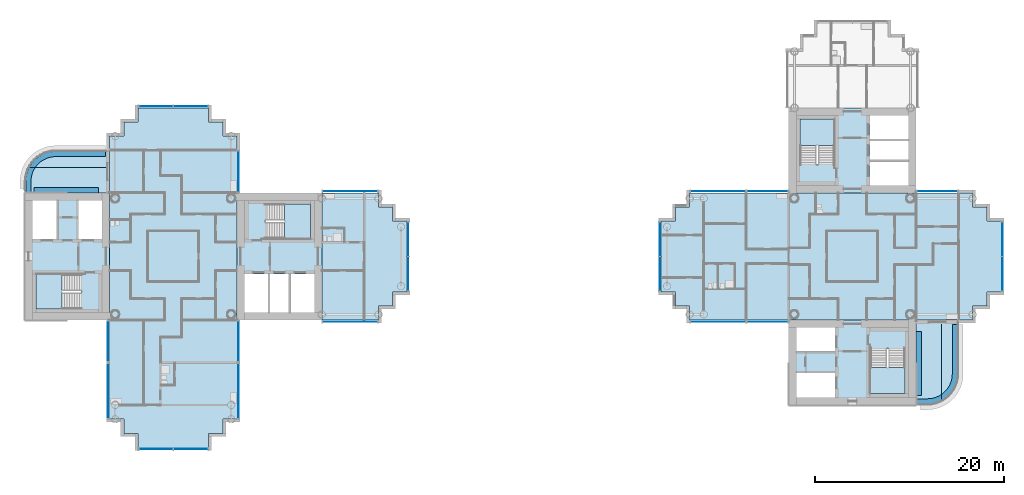
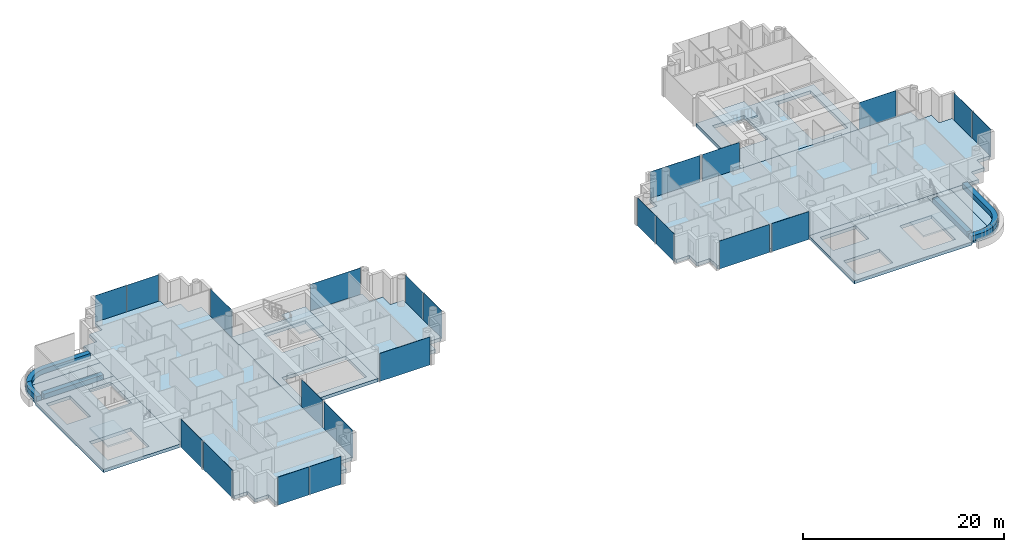
# One storey, part 5 of 20: 22 plates, 21 slabs, 21 elements without a shape of their own.
"""IFC4 building model written with IfcOpenShell, lengths in metres."""

from ifc_helpers import new_model, si_unit, direction, frame, origin, origin_2d, place, context, subcontext, project, spatial, polyline, rectangle, outline, extrude, material, layer, layer_set, type_object, element, aggregate, save


model = new_model("IFC4")

# Units and contexts
model_context = context("Model", 3, precision=1e-05, world=origin(), true_north=direction((0.0, 1.0)))
body_context = subcontext(model_context, "Body", "Model", "MODEL_VIEW")
ifc_project = project(units=[si_unit("LENGTHUNIT", "METRE"), si_unit("AREAUNIT", "SQUARE_METRE"), si_unit("VOLUMEUNIT", "CUBIC_METRE"), si_unit("PLANEANGLEUNIT", "RADIAN"), si_unit("MASSUNIT", "GRAM", prefix="KILO")], contexts=[model_context])

# Site, building, storey
site_placement = place(None, origin())
site = spatial("IfcSite", under=ifc_project, at=site_placement, CompositionType="ELEMENT")
building_placement = place(site_placement, origin())
building = spatial("IfcBuilding", under=site, at=building_placement, Name="Ipe Terrace Towers", CompositionType="ELEMENT")
storey_placement = place(building_placement, frame((0.0, 0.0, 154.10009765625)))
storey = spatial("IfcBuildingStorey", under=building, at=storey_placement, Name="L42", CompositionType="ELEMENT", Elevation=154.10009765625)

# Slabs
ifc_material_1 = material(Name="Concrete C30/37", Category="concrete")
ifc_layer_1 = layer(ifc_material_1, 0.199951171875)
ifc_layer_set_1 = layer_set([ifc_layer_1], Name="BALCONY SLAB 200")
slab_type_1 = type_object("IfcSlabType", Name="BALCONY SLAB 200", PredefinedType="FLOOR", material=ifc_layer_set_1)
slab_1_placement = place(storey_placement, frame((0.0, 0.0, -0.22021484375)))
element("IfcSlab", 1, at=slab_1_placement, inside=storey, type_object=slab_type_1, Name="balcony slab", PredefinedType="FLOOR", context=body_context, shape_type="SweptSolid", body=[
    extrude(outline(polyline([(-51.4990234375, 9.212890625), (-51.637939453125, 8.803955078125), (-51.721923828125, 8.381103515625), (-51.75, 7.949951171875), (-51.75, 6.75), (-42.75, 6.75), (-42.75, 9.449951171875), (-51.382080078125, 9.449951171875), (-51.4990234375, 9.212890625)])), origin(), (0.0, 0.0, 1.0), 0.2001953125),
])
slab_2_placement = place(storey_placement, frame((0.0, 0.0, -0.22021484375)))
element("IfcSlab", 2, at=slab_2_placement, inside=storey, type_object=slab_type_1, Name="balcony slab", PredefinedType="FLOOR", context=body_context, shape_type="SweptSolid", body=[
    extrude(outline(polyline([(-42.75, 11.25), (-48.449951171875, 11.25), (-48.881103515625, 11.221923828125), (-49.303955078125, 11.137939453125), (-49.712890625, 10.9990234375), (-50.10009765625, 10.80810546875), (-50.458984375, 10.568115234375), (-50.782958984375, 10.282958984375), (-51.068115234375, 9.958984375), (-51.30810546875, 9.60009765625), (-51.382080078125, 9.449951171875), (-42.75, 9.449951171875), (-42.75, 11.25)])), origin(), (0.0, 0.0, 1.0), 0.2001953125),
])
slab_3_placement = place(storey_placement, frame((0.0, 0.0, -0.22021484375)))
element("IfcSlab", 3, at=slab_3_placement, inside=storey, type_object=slab_type_1, Name="balcony slab", PredefinedType="FLOOR", context=body_context, shape_type="SweptSolid", body=[
    extrude(outline(polyline([(45.212890625, -15.4990234375), (45.449951171875, -15.382080078125), (45.449951171875, -6.75), (42.75, -6.75), (42.75, -15.75), (43.949951171875, -15.75), (44.381103515625, -15.721923828125), (44.803955078125, -15.637939453125), (45.212890625, -15.4990234375)])), origin(), (0.0, 0.0, 1.0), 0.2001953125),
])
slab_4_placement = place(storey_placement, frame((0.0, 0.0, -0.22021484375)))
element("IfcSlab", 4, at=slab_4_placement, inside=storey, type_object=slab_type_1, Name="balcony slab", PredefinedType="FLOOR", context=body_context, shape_type="SweptSolid", body=[
    extrude(outline(polyline([(47.25, -6.75), (45.449951171875, -6.75), (45.449951171875, -15.382080078125), (45.60009765625, -15.30810546875), (45.958984375, -15.068115234375), (46.282958984375, -14.782958984375), (46.568115234375, -14.458984375), (46.80810546875, -14.10009765625), (46.9990234375, -13.712890625), (47.137939453125, -13.303955078125), (47.221923828125, -12.881103515625), (47.25, -12.449951171875), (47.25, -6.75)])), origin(), (0.0, 0.0, 1.0), 0.2001953125),
])
ifc_material_2 = material(Name="Concrete C30/37", Category="concrete")
ifc_layer_2 = layer(ifc_material_2, 0.39990234375)
ifc_layer_set_2 = layer_set([ifc_layer_2], Name="CORE FLOOR SLAB 400 C30-37")
slab_type_2 = type_object("IfcSlabType", Name="CORE FLOOR SLAB 400 C30-37", PredefinedType="FLOOR", material=ifc_layer_set_2)
slab_5_placement = place(storey_placement, frame((0.0, 0.0, -0.400146484375)))
element("IfcSlab", 5, at=slab_5_placement, inside=storey, type_object=slab_type_2, Name="Core floor T1-C1", PredefinedType="FLOOR", context=body_context, shape_type="SweptSolid", body=[
    extrude(outline(polyline([(-29.25, -6.75), (-29.25, 6.75), (-20.25, 6.75), (-20.25, -6.75), (-29.25, -6.75)]), holes=[polyline([(-28.449951171875, -5.949951171875), (-21.050048828125, -5.949951171875), (-21.050048828125, -1.85009765625), (-28.449951171875, -1.85009765625), (-28.449951171875, -5.949951171875)]), polyline([(-26.199951171875, 5.550048828125), (-26.199951171875, 1.89990234375), (-21.449951171875, 1.89990234375), (-21.449951171875, 5.550048828125), (-26.199951171875, 5.550048828125)])]), origin(), (0.0, 0.0, 1.0), 0.400146484375),
])
slab_6_placement = place(storey_placement, frame((0.0, 0.0, -0.400146484375)))
element("IfcSlab", 6, at=slab_6_placement, inside=storey, type_object=slab_type_2, Name="Core floor T1-C2", PredefinedType="FLOOR", context=body_context, shape_type="SweptSolid", body=[
    extrude(outline(polyline([(-51.75, -6.75), (-51.75, 6.75), (-42.75, 6.75), (-42.75, -6.75), (-51.75, -6.75)]), holes=[polyline([(-45.800048828125, -1.89990234375), (-50.550048828125, -1.89990234375), (-50.550048828125, -5.550048828125), (-45.800048828125, -5.550048828125), (-45.800048828125, -1.89990234375)]), polyline([(-48.25, 1.85009765625), (-48.25, 5.949951171875), (-50.949951171875, 5.949951171875), (-50.949951171875, 1.85009765625), (-48.25, 1.85009765625)]), polyline([(-43.550048828125, 1.85009765625), (-43.550048828125, 5.949951171875), (-46.14990234375, 5.949951171875), (-46.14990234375, 1.85009765625), (-43.550048828125, 1.85009765625)])]), origin(), (0.0, 0.0, 1.0), 0.400146484375),
])
slab_7_placement = place(storey_placement, frame((0.0, 0.0, -0.400146484375)))
element("IfcSlab", 7, at=slab_7_placement, inside=storey, type_object=slab_type_2, Name="Core floor T2-C1", PredefinedType="FLOOR", context=body_context, shape_type="SweptSolid", body=[
    extrude(outline(polyline([(29.25, 6.75), (29.25, 15.75), (42.75, 15.75), (42.75, 6.75), (29.25, 6.75)]), holes=[polyline([(41.949951171875, 7.550048828125), (41.949951171875, 14.949951171875), (37.85009765625, 14.949951171875), (37.85009765625, 7.550048828125), (41.949951171875, 7.550048828125)]), polyline([(30.449951171875, 9.800048828125), (34.10009765625, 9.800048828125), (34.10009765625, 14.550048828125), (30.449951171875, 14.550048828125), (30.449951171875, 9.800048828125)])]), origin(), (0.0, 0.0, 1.0), 0.400146484375),
])
slab_8_placement = place(storey_placement, frame((0.0, 0.0, -0.400146484375)))
element("IfcSlab", 8, at=slab_8_placement, inside=storey, type_object=slab_type_2, Name="Core floor T2-C2", PredefinedType="FLOOR", context=body_context, shape_type="SweptSolid", body=[
    extrude(outline(polyline([(29.25, -15.75), (29.25, -6.75), (42.75, -6.75), (42.75, -15.75), (29.25, -15.75)]), holes=[polyline([(30.050048828125, -12.25), (30.050048828125, -14.949951171875), (34.14990234375, -14.949951171875), (34.14990234375, -12.25), (30.050048828125, -12.25)]), polyline([(41.550048828125, -9.800048828125), (37.89990234375, -9.800048828125), (37.89990234375, -14.550048828125), (41.550048828125, -14.550048828125), (41.550048828125, -9.800048828125)]), polyline([(34.14990234375, -7.550048828125), (30.050048828125, -7.550048828125), (30.050048828125, -10.14990234375), (34.14990234375, -10.14990234375), (34.14990234375, -7.550048828125)])]), origin(), (0.0, 0.0, 1.0), 0.400146484375),
])

# Stair, slab
ifc_material_3 = material(Name="Concrete C30/37", Category="concrete")
stair_type = type_object("IfcStairType", Name="Protected exit stair", PredefinedType="HALF_TURN_STAIR", material=ifc_material_3)
stair_1_placement = place(storey_placement, origin())
stair_1 = element("IfcStair", 9, at=stair_1_placement, inside=storey, type_object=stair_type, Name="L42 Exit stair T1-C1", PredefinedType="HALF_TURN_STAIR")
ifc_material_4 = material(Name="Concrete C30/37", Category="concrete")
ifc_layer_3 = layer(ifc_material_4, 0.199951171875)
ifc_layer_set_3 = layer_set([ifc_layer_3], Name="Exit stair landing 200")
slab_type_3 = type_object("IfcSlabType", Name="Exit stair landing 200", PredefinedType="LANDING", material=ifc_layer_set_3)
slab_9_placement = place(storey_placement, frame((0.0, 0.0, 1.5)))
slab_9 = element("IfcSlab", 10, at=slab_9_placement, type_object=slab_type_3, Name="T1-ST1 landing 1", PredefinedType="LANDING", context=body_context, shape_type="SweptSolid", body=[
    extrude(outline(polyline([(-24.219970703125, 1.89990234375), (-21.449951171875, 1.89990234375), (-21.449951171875, 5.550048828125), (-24.219970703125, 5.550048828125), (-24.219970703125, 1.89990234375)])), origin(), (0.0, 0.0, 1.0), 0.199951171875),
])
aggregate(stair_1, [slab_9])

stair_2_placement = place(storey_placement, origin())
stair_2 = element("IfcStair", 11, at=stair_2_placement, inside=storey, type_object=stair_type, Name="L42 Exit stair T1-C2", PredefinedType="HALF_TURN_STAIR")
slab_10_placement = place(storey_placement, frame((0.0, 0.0, 1.5)))
slab_10 = element("IfcSlab", 12, at=slab_10_placement, type_object=slab_type_3, Name="T1-ST2 landing 1", PredefinedType="LANDING", context=body_context, shape_type="SweptSolid", body=[
    extrude(outline(polyline([(-47.780029296875, -1.89990234375), (-50.550048828125, -1.89990234375), (-50.550048828125, -5.550048828125), (-47.780029296875, -5.550048828125), (-47.780029296875, -1.89990234375)])), origin(), (0.0, 0.0, 1.0), 0.199951171875),
])
aggregate(stair_2, [slab_10])

stair_3_placement = place(storey_placement, origin())
stair_3 = element("IfcStair", 13, at=stair_3_placement, inside=storey, type_object=stair_type, Name="L42 Exit stair T2-C1", PredefinedType="HALF_TURN_STAIR")
slab_11_placement = place(storey_placement, frame((0.0, 0.0, 1.5)))
slab_11 = element("IfcSlab", 14, at=slab_11_placement, type_object=slab_type_3, Name="T2-ST1 landing 1", PredefinedType="LANDING", context=body_context, shape_type="SweptSolid", body=[
    extrude(outline(polyline([(34.10009765625, 11.780029296875), (34.10009765625, 14.550048828125), (30.449951171875, 14.550048828125), (30.449951171875, 11.780029296875), (34.10009765625, 11.780029296875)])), origin(), (0.0, 0.0, 1.0), 0.199951171875),
])
aggregate(stair_3, [slab_11])

stair_4_placement = place(storey_placement, origin())
stair_4 = element("IfcStair", 15, at=stair_4_placement, inside=storey, type_object=stair_type, Name="L42 Exit stair T2-C2", PredefinedType="HALF_TURN_STAIR")
slab_12_placement = place(storey_placement, frame((0.0, 0.0, 1.5)))
slab_12 = element("IfcSlab", 16, at=slab_12_placement, type_object=slab_type_3, Name="T2-ST2 landing 1", PredefinedType="LANDING", context=body_context, shape_type="SweptSolid", body=[
    extrude(outline(polyline([(37.89990234375, -11.780029296875), (37.89990234375, -14.550048828125), (41.550048828125, -14.550048828125), (41.550048828125, -11.780029296875), (37.89990234375, -11.780029296875)])), origin(), (0.0, 0.0, 1.0), 0.199951171875),
])
aggregate(stair_4, [slab_12])

# Slabs
ifc_material_5 = material(Name="Concrete C40/50", Category="concrete")
ifc_layer_4 = layer(ifc_material_5, 0.39990234375)
ifc_layer_set_4 = layer_set([ifc_layer_4], Name="FLAT PLATE SLAB 400 C40-50")
slab_type_4 = type_object("IfcSlabType", Name="FLAT PLATE SLAB 400 C40-50", PredefinedType="FLOOR", material=ifc_layer_set_4)
slab_13_placement = place(storey_placement, frame((0.0, 0.0, -0.400146484375)))
element("IfcSlab", 17, at=slab_13_placement, inside=storey, type_object=slab_type_4, Name="Slab T1-FS-Z31", PredefinedType="FLOOR", context=body_context, shape_type="SweptSolid", body=[
    extrude(outline(polyline([(-30.75, -17.25), (-30.75, -18.75), (-32.25, -18.75), (-32.25, -20.25), (-39.75, -20.25), (-39.75, -18.75), (-41.25, -18.75), (-41.25, -17.25), (-42.75, -17.25), (-42.75, -6.75), (-42.75, 6.75), (-42.75, 12.75), (-41.25, 12.75), (-41.25, 14.25), (-39.75, 14.25), (-39.75, 15.75), (-32.25, 15.75), (-32.25, 14.25), (-30.75, 14.25), (-30.75, 12.75), (-29.25, 12.75), (-29.25, 6.75), (-29.25, -6.75), (-29.25, -17.25), (-30.75, -17.25)])), origin(), (0.0, 0.0, 1.0), 0.400146484375),
])
slab_14_placement = place(storey_placement, frame((0.0, 0.0, -0.400146484375)))
element("IfcSlab", 18, at=slab_14_placement, inside=storey, type_object=slab_type_4, Name="Slab T1-FS-Z32", PredefinedType="FLOOR", context=body_context, shape_type="SweptSolid", body=[
    extrude(outline(polyline([(-14.25, 5.25), (-12.75, 5.25), (-12.75, 3.75), (-11.25, 3.75), (-11.25, -3.75), (-12.75, -3.75), (-12.75, -5.25), (-14.25, -5.25), (-14.25, -6.75), (-20.25, -6.75), (-20.25, 6.75), (-14.25, 6.75), (-14.25, 5.25)])), origin(), (0.0, 0.0, 1.0), 0.400146484375),
])
slab_15_placement = place(storey_placement, frame((0.0, 0.0, -0.400146484375)))
element("IfcSlab", 19, at=slab_15_placement, inside=storey, type_object=slab_type_4, Name="Slab T2-FS-Z31", PredefinedType="FLOOR", context=body_context, shape_type="SweptSolid", body=[
    extrude(outline(polyline([(48.75, 5.25), (50.25, 5.25), (50.25, 3.75), (51.75, 3.75), (51.75, -3.75), (50.25, -3.75), (50.25, -5.25), (48.75, -5.25), (48.75, -6.75), (42.75, -6.75), (29.25, -6.75), (18.75, -6.75), (18.75, -5.25), (17.25, -5.25), (17.25, -3.75), (15.75, -3.75), (15.75, 3.75), (17.25, 3.75), (17.25, 5.25), (18.75, 5.25), (18.75, 6.75), (29.25, 6.75), (42.75, 6.75), (48.75, 6.75), (48.75, 5.25)])), origin(), (0.0, 0.0, 1.0), 0.400146484375),
])
ifc_material_6 = material(Name="Concrete C30/37", Category="concrete")
ifc_layer_5 = layer(ifc_material_6, 0.60009765625)
ifc_layer_set_5 = layer_set([ifc_layer_5], Name="PLANTER TROUGH 550 x 600")
slab_type_5 = type_object("IfcSlabType", Name="PLANTER TROUGH 550 x 600", PredefinedType="USERDEFINED", material=ifc_layer_set_5)
slab_16_placement = place(storey_placement, frame((0.0, 0.0, -0.02001953125)))
element("IfcSlab", 20, at=slab_16_placement, inside=storey, type_object=slab_type_5, Name="planter", ObjectType="PLANTER", PredefinedType="USERDEFINED", context=body_context, shape_type="SweptSolid", body=[
    extrude(outline(polyline([(-50.9990234375, 8.633056640625), (-50.887939453125, 8.9599609375), (-50.735107421875, 9.26904296875), (-50.614013671875, 9.449951171875), (-51.259033203125, 9.449951171875), (-51.388916015625, 9.18701171875), (-51.403076171875, 9.154052734375), (-51.52490234375, 8.79296875), (-51.534912109375, 8.758056640625), (-51.60888671875, 8.384033203125), (-51.614013671875, 8.347900390625), (-51.638916015625, 7.955078125), (-51.639892578125, 7.93701171875), (-51.639892578125, 6.75), (-51.090087890625, 6.75), (-51.090087890625, 7.927978515625), (-51.06591796875, 8.2939453125), (-50.9990234375, 8.633056640625)])), origin(), (0.0, 0.0, 1.0), 0.599853515625),
])
slab_17_placement = place(storey_placement, frame((0.0, 0.0, -0.02001953125)))
element("IfcSlab", 21, at=slab_17_placement, inside=storey, type_object=slab_type_5, Name="planter", ObjectType="PLANTER", PredefinedType="USERDEFINED", context=body_context, shape_type="SweptSolid", body=[
    extrude(outline(polyline([(-50.54296875, 9.555908203125), (-50.31591796875, 9.81591796875), (-50.055908203125, 10.04296875), (-49.76904296875, 10.235107421875), (-49.4599609375, 10.387939453125), (-49.133056640625, 10.4990234375), (-48.7939453125, 10.56591796875), (-48.427978515625, 10.590087890625), (-43.199951171875, 10.590087890625), (-43.199951171875, 11.139892578125), (-48.43701171875, 11.139892578125), (-48.455078125, 11.138916015625), (-48.847900390625, 11.114013671875), (-48.884033203125, 11.10888671875), (-49.258056640625, 11.034912109375), (-49.29296875, 11.02490234375), (-49.654052734375, 10.903076171875), (-49.68701171875, 10.888916015625), (-50.029052734375, 10.719970703125), (-50.06005859375, 10.701904296875), (-50.376953125, 10.490966796875), (-50.405029296875, 10.468994140625), (-50.69189453125, 10.217041015625), (-50.717041015625, 10.19189453125), (-50.968994140625, 9.905029296875), (-50.990966796875, 9.876953125), (-51.201904296875, 9.56005859375), (-51.219970703125, 9.529052734375), (-51.259033203125, 9.449951171875), (-50.614013671875, 9.449951171875), (-50.54296875, 9.555908203125)])), origin(), (0.0, 0.0, 1.0), 0.599853515625),
])
slab_18_placement = place(storey_placement, frame((0.0, 0.0, -0.02001953125)))
element("IfcSlab", 22, at=slab_18_placement, inside=storey, type_object=slab_type_5, Name="planter", ObjectType="PLANTER", PredefinedType="USERDEFINED", context=body_context, shape_type="SweptSolid", body=[
    extrude(outline(polyline([(-43.949951171875, 6.75), (-43.949951171875, 7.300048828125), (-50.75, 7.300048828125), (-50.75, 6.75), (-43.949951171875, 6.75)])), origin(), (0.0, 0.0, 1.0), 0.599853515625),
])
slab_19_placement = place(storey_placement, frame((0.0, 0.0, -0.02001953125)))
element("IfcSlab", 23, at=slab_19_placement, inside=storey, type_object=slab_type_5, Name="planter", ObjectType="PLANTER", PredefinedType="USERDEFINED", context=body_context, shape_type="SweptSolid", body=[
    extrude(outline(polyline([(44.633056640625, -14.9990234375), (44.2939453125, -15.06591796875), (43.927978515625, -15.090087890625), (42.75, -15.090087890625), (42.75, -15.639892578125), (43.93701171875, -15.639892578125), (43.955078125, -15.638916015625), (44.347900390625, -15.614013671875), (44.384033203125, -15.60888671875), (44.758056640625, -15.534912109375), (44.79296875, -15.52490234375), (45.154052734375, -15.403076171875), (45.18701171875, -15.388916015625), (45.449951171875, -15.259033203125), (45.449951171875, -14.614013671875), (45.26904296875, -14.735107421875), (44.9599609375, -14.887939453125), (44.633056640625, -14.9990234375)])), origin(), (0.0, 0.0, 1.0), 0.599853515625),
])
slab_20_placement = place(storey_placement, frame((0.0, 0.0, -0.02001953125)))
element("IfcSlab", 24, at=slab_20_placement, inside=storey, type_object=slab_type_5, Name="planter", ObjectType="PLANTER", PredefinedType="USERDEFINED", context=body_context, shape_type="SweptSolid", body=[
    extrude(outline(polyline([(45.555908203125, -14.54296875), (45.449951171875, -14.614013671875), (45.449951171875, -15.259033203125), (45.529052734375, -15.219970703125), (45.56005859375, -15.201904296875), (45.876953125, -14.990966796875), (45.905029296875, -14.968994140625), (46.19189453125, -14.717041015625), (46.217041015625, -14.69189453125), (46.468994140625, -14.405029296875), (46.490966796875, -14.376953125), (46.701904296875, -14.06005859375), (46.719970703125, -14.029052734375), (46.888916015625, -13.68701171875), (46.903076171875, -13.654052734375), (47.02490234375, -13.29296875), (47.034912109375, -13.258056640625), (47.10888671875, -12.884033203125), (47.114013671875, -12.847900390625), (47.138916015625, -12.455078125), (47.139892578125, -12.43701171875), (47.139892578125, -7.199951171875), (46.590087890625, -7.199951171875), (46.590087890625, -12.427978515625), (46.56591796875, -12.7939453125), (46.4990234375, -13.133056640625), (46.387939453125, -13.4599609375), (46.235107421875, -13.76904296875), (46.04296875, -14.055908203125), (45.81591796875, -14.31591796875), (45.555908203125, -14.54296875)])), origin(), (0.0, 0.0, 1.0), 0.599853515625),
])
slab_21_placement = place(storey_placement, frame((0.0, 0.0, -0.02001953125)))
element("IfcSlab", 25, at=slab_21_placement, inside=storey, type_object=slab_type_5, Name="planter", ObjectType="PLANTER", PredefinedType="USERDEFINED", context=body_context, shape_type="SweptSolid", body=[
    extrude(outline(polyline([(42.75, -7.949951171875), (42.75, -14.75), (43.300048828125, -14.75), (43.300048828125, -7.949951171875), (42.75, -7.949951171875)])), origin(), (0.0, 0.0, 1.0), 0.599853515625),
])

# Curtain wall, plate
ifc_material_7 = material(Name="Aluminium alloy 6063-T6", Category="aluminium")
ifc_layer_6 = layer(ifc_material_7, 0.320068359375)
ifc_layer_set_6 = layer_set([ifc_layer_6], Name="TOWER UNITISED CURTAIN WALL")
curtain_wall_type = type_object("IfcCurtainWallType", Name="TOWER UNITISED CURTAIN WALL", PredefinedType="NOTDEFINED", material=ifc_layer_set_6)
curtain_wall_1_placement = place(storey_placement, origin())
curtain_wall_1 = element("IfcCurtainWall", 26, at=curtain_wall_1_placement, inside=storey, type_object=curtain_wall_type, Name="T1-CW-L42-02a curtain wall", PredefinedType="NOTDEFINED")
ifc_material_8 = material(Name="Glass, clear laminated", Category="glass")
ifc_layer_7 = layer(ifc_material_8, 0.031982421875)
ifc_layer_set_7 = layer_set([ifc_layer_7], Name="TOWER UNITISED GLASS PANEL 32")
plate_type = type_object("IfcPlateType", Name="TOWER UNITISED GLASS PANEL 32", PredefinedType="CURTAIN_PANEL", material=ifc_layer_set_7)
plate_1_placement = place(storey_placement, frame((-42.909912109375, -9.0, -0.300048828125), z_axis=(0.0, 0.0, 1.0), x_axis=(0.0, -1.0, 0.0)))
plate_1 = element("IfcPlate", 27, at=plate_1_placement, type_object=plate_type, Name="T1-CW-L42-02a panel 1", PredefinedType="CURTAIN_PANEL", context=body_context, shape_type="SweptSolid", body=[
    extrude(rectangle(XDim=4.260009765625, YDim=0.031982421875, at=origin_2d()), origin(), (0.0, 0.0, 1.0), 3.39990234375),
])
aggregate(curtain_wall_1, [plate_1])

curtain_wall_2_placement = place(storey_placement, origin())
curtain_wall_2 = element("IfcCurtainWall", 28, at=curtain_wall_2_placement, inside=storey, type_object=curtain_wall_type, Name="T1-CW-L42-03a curtain wall", PredefinedType="NOTDEFINED")
plate_2_placement = place(storey_placement, frame((-42.909912109375, -14.25, -0.300048828125), z_axis=(0.0, 0.0, 1.0), x_axis=(0.0, -1.0, 0.0)))
plate_2 = element("IfcPlate", 29, at=plate_2_placement, type_object=plate_type, Name="T1-CW-L42-03a panel 1", PredefinedType="CURTAIN_PANEL", context=body_context, shape_type="SweptSolid", body=[
    extrude(rectangle(XDim=5.760009765625, YDim=0.031982421875, at=origin_2d()), origin(), (0.0, 0.0, 1.0), 3.39990234375),
])
aggregate(curtain_wall_2, [plate_2])

# Curtain wall, plates
curtain_wall_3_placement = place(storey_placement, origin())
curtain_wall_3 = element("IfcCurtainWall", 30, at=curtain_wall_3_placement, inside=storey, type_object=curtain_wall_type, Name="T1-CW-L42-08a curtain wall", PredefinedType="NOTDEFINED")
plate_3_placement = place(storey_placement, frame((-37.831298828125, -20.409912109375, -0.300048828125), z_axis=(0.0, 0.0, 1.0), x_axis=(1.0, 0.0, 0.0)))
plate_3 = element("IfcPlate", 31, at=plate_3_placement, type_object=plate_type, Name="T1-CW-L42-08a panel 1", PredefinedType="CURTAIN_PANEL", context=body_context, shape_type="SweptSolid", body=[
    extrude(rectangle(XDim=3.597412109375, YDim=0.031982421875, at=origin_2d()), origin(), (0.0, 0.0, 1.0), 3.39990234375),
])
plate_4_placement = place(storey_placement, frame((-34.168701171875, -20.409912109375, -0.300048828125), z_axis=(0.0, 0.0, 1.0), x_axis=(1.0, 0.0, 0.0)))
plate_4 = element("IfcPlate", 32, at=plate_4_placement, type_object=plate_type, Name="T1-CW-L42-08a panel 2", PredefinedType="CURTAIN_PANEL", context=body_context, shape_type="SweptSolid", body=[
    extrude(rectangle(XDim=3.597412109375, YDim=0.031982421875, at=origin_2d()), origin(), (0.0, 0.0, 1.0), 3.39990234375),
])
aggregate(curtain_wall_3, [plate_3, plate_4])

# Curtain wall, plate
curtain_wall_4_placement = place(storey_placement, origin())
curtain_wall_4 = element("IfcCurtainWall", 33, at=curtain_wall_4_placement, inside=storey, type_object=curtain_wall_type, Name="T1-CW-L42-13a curtain wall", PredefinedType="NOTDEFINED")
plate_5_placement = place(storey_placement, frame((-29.090087890625, -14.25, -0.300048828125), z_axis=(0.0, 0.0, 1.0), x_axis=(0.0, 1.0, 0.0)))
plate_5 = element("IfcPlate", 34, at=plate_5_placement, type_object=plate_type, Name="T1-CW-L42-13a panel 1", PredefinedType="CURTAIN_PANEL", context=body_context, shape_type="SweptSolid", body=[
    extrude(rectangle(XDim=5.760009765625, YDim=0.031982421875, at=origin_2d()), origin(), (0.0, 0.0, 1.0), 3.39990234375),
])
aggregate(curtain_wall_4, [plate_5])

curtain_wall_5_placement = place(storey_placement, origin())
curtain_wall_5 = element("IfcCurtainWall", 35, at=curtain_wall_5_placement, inside=storey, type_object=curtain_wall_type, Name="T1-CW-L42-14a curtain wall", PredefinedType="NOTDEFINED")
plate_6_placement = place(storey_placement, frame((-29.090087890625, -9.0, -0.300048828125), z_axis=(0.0, 0.0, 1.0), x_axis=(0.0, 1.0, 0.0)))
plate_6 = element("IfcPlate", 36, at=plate_6_placement, type_object=plate_type, Name="T1-CW-L42-14a panel 1", PredefinedType="CURTAIN_PANEL", context=body_context, shape_type="SweptSolid", body=[
    extrude(rectangle(XDim=4.260009765625, YDim=0.031982421875, at=origin_2d()), origin(), (0.0, 0.0, 1.0), 3.39990234375),
])
aggregate(curtain_wall_5, [plate_6])

curtain_wall_6_placement = place(storey_placement, origin())
curtain_wall_6 = element("IfcCurtainWall", 37, at=curtain_wall_6_placement, inside=storey, type_object=curtain_wall_type, Name="T1-CW-L42-16b curtain wall", PredefinedType="NOTDEFINED")
plate_7_placement = place(storey_placement, frame((-17.24951171875, -6.909912109375, -0.300048828125), z_axis=(0.0, 0.0, 1.0), x_axis=(1.0, 0.0, 0.0)))
plate_7 = element("IfcPlate", 38, at=plate_7_placement, type_object=plate_type, Name="T1-CW-L42-16b panel 1", PredefinedType="CURTAIN_PANEL", context=body_context, shape_type="SweptSolid", body=[
    extrude(rectangle(XDim=5.759033203125, YDim=0.031982421875, at=origin_2d()), origin(), (0.0, 0.0, 1.0), 3.39990234375),
])
aggregate(curtain_wall_6, [plate_7])

# Curtain wall, plates
curtain_wall_7_placement = place(storey_placement, origin())
curtain_wall_7 = element("IfcCurtainWall", 39, at=curtain_wall_7_placement, inside=storey, type_object=curtain_wall_type, Name="T1-CW-L42-21a curtain wall", PredefinedType="NOTDEFINED")
plate_8_placement = place(storey_placement, frame((-11.090087890625, -1.831298828125, -0.300048828125), z_axis=(0.0, 0.0, 1.0), x_axis=(0.0, 1.0, 0.0)))
plate_8 = element("IfcPlate", 40, at=plate_8_placement, type_object=plate_type, Name="T1-CW-L42-21a panel 1", PredefinedType="CURTAIN_PANEL", context=body_context, shape_type="SweptSolid", body=[
    extrude(rectangle(XDim=3.597412109375, YDim=0.031982421875, at=origin_2d()), origin(), (0.0, 0.0, 1.0), 3.39990234375),
])
plate_9_placement = place(storey_placement, frame((-11.090087890625, 1.831298828125, -0.300048828125), z_axis=(0.0, 0.0, 1.0), x_axis=(0.0, 1.0, 0.0)))
plate_9 = element("IfcPlate", 41, at=plate_9_placement, type_object=plate_type, Name="T1-CW-L42-21a panel 2", PredefinedType="CURTAIN_PANEL", context=body_context, shape_type="SweptSolid", body=[
    extrude(rectangle(XDim=3.597412109375, YDim=0.031982421875, at=origin_2d()), origin(), (0.0, 0.0, 1.0), 3.39990234375),
])
aggregate(curtain_wall_7, [plate_8, plate_9])

# Curtain wall, plate
curtain_wall_8_placement = place(storey_placement, origin())
curtain_wall_8 = element("IfcCurtainWall", 42, at=curtain_wall_8_placement, inside=storey, type_object=curtain_wall_type, Name="T1-CW-L42-26a curtain wall", PredefinedType="NOTDEFINED")
plate_10_placement = place(storey_placement, frame((-17.24951171875, 6.909912109375, -0.300048828125), z_axis=(0.0, 0.0, 1.0), x_axis=(-1.0, 0.0, 0.0)))
plate_10 = element("IfcPlate", 43, at=plate_10_placement, type_object=plate_type, Name="T1-CW-L42-26a panel 1", PredefinedType="CURTAIN_PANEL", context=body_context, shape_type="SweptSolid", body=[
    extrude(rectangle(XDim=5.759033203125, YDim=0.031982421875, at=origin_2d()), origin(), (0.0, 0.0, 1.0), 3.39990234375),
])
aggregate(curtain_wall_8, [plate_10])

curtain_wall_9_placement = place(storey_placement, origin())
curtain_wall_9 = element("IfcCurtainWall", 44, at=curtain_wall_9_placement, inside=storey, type_object=curtain_wall_type, Name="T1-CW-L42-28a curtain wall", PredefinedType="NOTDEFINED")
plate_11_placement = place(storey_placement, frame((-29.090087890625, 9.0, -0.300048828125), z_axis=(0.0, 0.0, 1.0), x_axis=(0.0, 1.0, 0.0)))
plate_11 = element("IfcPlate", 45, at=plate_11_placement, type_object=plate_type, Name="T1-CW-L42-28a panel 1", PredefinedType="CURTAIN_PANEL", context=body_context, shape_type="SweptSolid", body=[
    extrude(rectangle(XDim=4.260009765625, YDim=0.031982421875, at=origin_2d()), origin(), (0.0, 0.0, 1.0), 3.39990234375),
])
aggregate(curtain_wall_9, [plate_11])

# Curtain wall, plates
curtain_wall_10_placement = place(storey_placement, origin())
curtain_wall_10 = element("IfcCurtainWall", 46, at=curtain_wall_10_placement, inside=storey, type_object=curtain_wall_type, Name="T1-CW-L42-34a curtain wall", PredefinedType="NOTDEFINED")
plate_12_placement = place(storey_placement, frame((-34.168701171875, 15.909912109375, -0.300048828125), z_axis=(0.0, 0.0, 1.0), x_axis=(-1.0, 0.0, 0.0)))
plate_12 = element("IfcPlate", 47, at=plate_12_placement, type_object=plate_type, Name="T1-CW-L42-34a panel 1", PredefinedType="CURTAIN_PANEL", context=body_context, shape_type="SweptSolid", body=[
    extrude(rectangle(XDim=3.597412109375, YDim=0.031982421875, at=origin_2d()), origin(), (0.0, 0.0, 1.0), 3.39990234375),
])
plate_13_placement = place(storey_placement, frame((-37.831298828125, 15.909912109375, -0.300048828125), z_axis=(0.0, 0.0, 1.0), x_axis=(-1.0, 0.0, 0.0)))
plate_13 = element("IfcPlate", 48, at=plate_13_placement, type_object=plate_type, Name="T1-CW-L42-34a panel 2", PredefinedType="CURTAIN_PANEL", context=body_context, shape_type="SweptSolid", body=[
    extrude(rectangle(XDim=3.597412109375, YDim=0.031982421875, at=origin_2d()), origin(), (0.0, 0.0, 1.0), 3.39990234375),
])
aggregate(curtain_wall_10, [plate_12, plate_13])

curtain_wall_11_placement = place(storey_placement, origin())
curtain_wall_11 = element("IfcCurtainWall", 49, at=curtain_wall_11_placement, inside=storey, type_object=curtain_wall_type, Name="T2-CW-L42-08a curtain wall", PredefinedType="NOTDEFINED")
plate_14_placement = place(storey_placement, frame((51.909912109375, -1.831298828125, -0.300048828125), z_axis=(0.0, 0.0, 1.0), x_axis=(0.0, 1.0, 0.0)))
plate_14 = element("IfcPlate", 50, at=plate_14_placement, type_object=plate_type, Name="T2-CW-L42-08a panel 1", PredefinedType="CURTAIN_PANEL", context=body_context, shape_type="SweptSolid", body=[
    extrude(rectangle(XDim=3.597412109375, YDim=0.031982421875, at=origin_2d()), origin(), (0.0, 0.0, 1.0), 3.39990234375),
])
plate_15_placement = place(storey_placement, frame((51.909912109375, 1.831298828125, -0.300048828125), z_axis=(0.0, 0.0, 1.0), x_axis=(0.0, 1.0, 0.0)))
plate_15 = element("IfcPlate", 51, at=plate_15_placement, type_object=plate_type, Name="T2-CW-L42-08a panel 2", PredefinedType="CURTAIN_PANEL", context=body_context, shape_type="SweptSolid", body=[
    extrude(rectangle(XDim=3.597412109375, YDim=0.031982421875, at=origin_2d()), origin(), (0.0, 0.0, 1.0), 3.39990234375),
])
aggregate(curtain_wall_11, [plate_14, plate_15])

# Curtain wall, plate
curtain_wall_12_placement = place(storey_placement, origin())
curtain_wall_12 = element("IfcCurtainWall", 52, at=curtain_wall_12_placement, inside=storey, type_object=curtain_wall_type, Name="T2-CW-L42-14a curtain wall", PredefinedType="NOTDEFINED")
plate_16_placement = place(storey_placement, frame((45.0, 6.909912109375, -0.300048828125), z_axis=(0.0, 0.0, 1.0), x_axis=(-1.0, 0.0, 0.0)))
plate_16 = element("IfcPlate", 53, at=plate_16_placement, type_object=plate_type, Name="T2-CW-L42-14a panel 1", PredefinedType="CURTAIN_PANEL", context=body_context, shape_type="SweptSolid", body=[
    extrude(rectangle(XDim=4.260009765625, YDim=0.031982421875, at=origin_2d()), origin(), (0.0, 0.0, 1.0), 3.39990234375),
])
aggregate(curtain_wall_12, [plate_16])

curtain_wall_13_placement = place(storey_placement, origin())
curtain_wall_13 = element("IfcCurtainWall", 54, at=curtain_wall_13_placement, inside=storey, type_object=curtain_wall_type, Name="T2-CW-L42-28a curtain wall", PredefinedType="NOTDEFINED")
plate_17_placement = place(storey_placement, frame((27.0, 6.909912109375, -0.300048828125), z_axis=(0.0, 0.0, 1.0), x_axis=(-1.0, 0.0, 0.0)))
plate_17 = element("IfcPlate", 55, at=plate_17_placement, type_object=plate_type, Name="T2-CW-L42-28a panel 1", PredefinedType="CURTAIN_PANEL", context=body_context, shape_type="SweptSolid", body=[
    extrude(rectangle(XDim=4.260009765625, YDim=0.031982421875, at=origin_2d()), origin(), (0.0, 0.0, 1.0), 3.39990234375),
])
aggregate(curtain_wall_13, [plate_17])

curtain_wall_14_placement = place(storey_placement, origin())
curtain_wall_14 = element("IfcCurtainWall", 56, at=curtain_wall_14_placement, inside=storey, type_object=curtain_wall_type, Name="T2-CW-L42-29a curtain wall", PredefinedType="NOTDEFINED")
plate_18_placement = place(storey_placement, frame((21.75, 6.909912109375, -0.300048828125), z_axis=(0.0, 0.0, 1.0), x_axis=(-1.0, 0.0, 0.0)))
plate_18 = element("IfcPlate", 57, at=plate_18_placement, type_object=plate_type, Name="T2-CW-L42-29a panel 1", PredefinedType="CURTAIN_PANEL", context=body_context, shape_type="SweptSolid", body=[
    extrude(rectangle(XDim=5.760009765625, YDim=0.031982421875, at=origin_2d()), origin(), (0.0, 0.0, 1.0), 3.39990234375),
])
aggregate(curtain_wall_14, [plate_18])

# Curtain wall, plates
curtain_wall_15_placement = place(storey_placement, origin())
curtain_wall_15 = element("IfcCurtainWall", 58, at=curtain_wall_15_placement, inside=storey, type_object=curtain_wall_type, Name="T2-CW-L42-34a curtain wall", PredefinedType="NOTDEFINED")
plate_19_placement = place(storey_placement, frame((15.590087890625, 1.831298828125, -0.300048828125), z_axis=(0.0, 0.0, 1.0), x_axis=(0.0, -1.0, 0.0)))
plate_19 = element("IfcPlate", 59, at=plate_19_placement, type_object=plate_type, Name="T2-CW-L42-34a panel 1", PredefinedType="CURTAIN_PANEL", context=body_context, shape_type="SweptSolid", body=[
    extrude(rectangle(XDim=3.597412109375, YDim=0.031982421875, at=origin_2d()), origin(), (0.0, 0.0, 1.0), 3.39990234375),
])
plate_20_placement = place(storey_placement, frame((15.590087890625, -1.831298828125, -0.300048828125), z_axis=(0.0, 0.0, 1.0), x_axis=(0.0, -1.0, 0.0)))
plate_20 = element("IfcPlate", 60, at=plate_20_placement, type_object=plate_type, Name="T2-CW-L42-34a panel 2", PredefinedType="CURTAIN_PANEL", context=body_context, shape_type="SweptSolid", body=[
    extrude(rectangle(XDim=3.597412109375, YDim=0.031982421875, at=origin_2d()), origin(), (0.0, 0.0, 1.0), 3.39990234375),
])
aggregate(curtain_wall_15, [plate_19, plate_20])

# Curtain wall, plate
curtain_wall_16_placement = place(storey_placement, origin())
curtain_wall_16 = element("IfcCurtainWall", 61, at=curtain_wall_16_placement, inside=storey, type_object=curtain_wall_type, Name="T2-CW-L42-39a curtain wall", PredefinedType="NOTDEFINED")
plate_21_placement = place(storey_placement, frame((21.75, -6.909912109375, -0.300048828125), z_axis=(0.0, 0.0, 1.0), x_axis=(1.0, 0.0, 0.0)))
plate_21 = element("IfcPlate", 62, at=plate_21_placement, type_object=plate_type, Name="T2-CW-L42-39a panel 1", PredefinedType="CURTAIN_PANEL", context=body_context, shape_type="SweptSolid", body=[
    extrude(rectangle(XDim=5.760009765625, YDim=0.031982421875, at=origin_2d()), origin(), (0.0, 0.0, 1.0), 3.39990234375),
])
aggregate(curtain_wall_16, [plate_21])

curtain_wall_17_placement = place(storey_placement, origin())
curtain_wall_17 = element("IfcCurtainWall", 63, at=curtain_wall_17_placement, inside=storey, type_object=curtain_wall_type, Name="T2-CW-L42-40a curtain wall", PredefinedType="NOTDEFINED")
plate_22_placement = place(storey_placement, frame((27.0, -6.909912109375, -0.300048828125), z_axis=(0.0, 0.0, 1.0), x_axis=(1.0, 0.0, 0.0)))
plate_22 = element("IfcPlate", 64, at=plate_22_placement, type_object=plate_type, Name="T2-CW-L42-40a panel 1", PredefinedType="CURTAIN_PANEL", context=body_context, shape_type="SweptSolid", body=[
    extrude(rectangle(XDim=4.260009765625, YDim=0.031982421875, at=origin_2d()), origin(), (0.0, 0.0, 1.0), 3.39990234375),
])
aggregate(curtain_wall_17, [plate_22])

save(model, "model.ifc")
